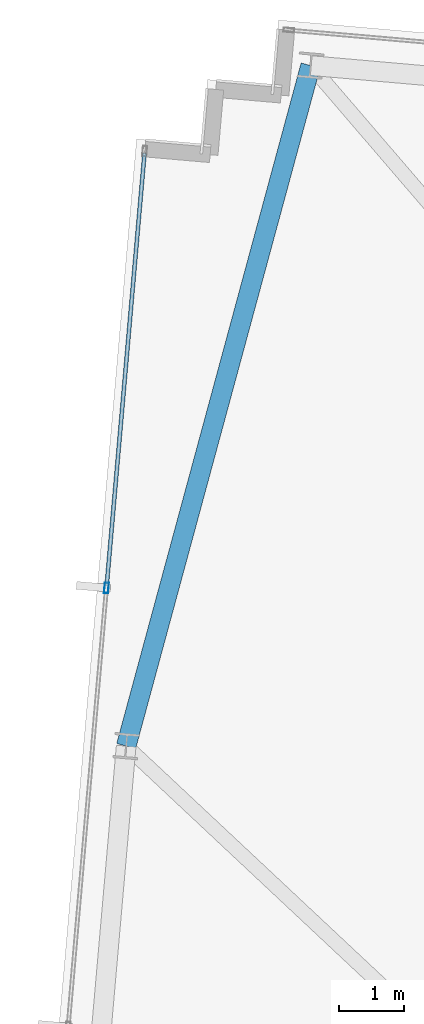
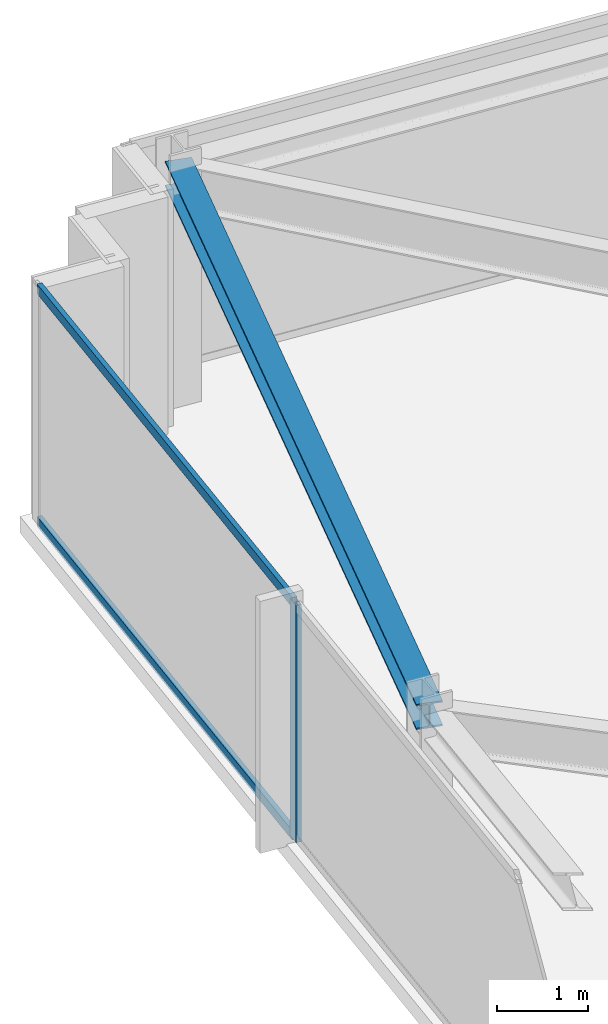
# One storey, part 11 of 32: 3 members, 1 beam, 1 element without a shape of its own.
"""IFC4 building model written with IfcOpenShell, lengths in metres."""

from ifc_helpers import new_model, si_unit, direction, frame, origin, origin_2d, place, context, subcontext, project, spatial, hollow_rectangle, i_section, extrude, material, material_profile, profile_set, type_object, element, aggregate, save


model = new_model("IFC4")

# Units and contexts
model_context = context("Model", 3, precision=1e-05, world=origin(), true_north=direction((0.0, 1.0)))
body_context = subcontext(model_context, "Body", "Model", "MODEL_VIEW")
ifc_project = project(units=[si_unit("LENGTHUNIT", "METRE"), si_unit("AREAUNIT", "SQUARE_METRE"), si_unit("VOLUMEUNIT", "CUBIC_METRE"), si_unit("PLANEANGLEUNIT", "RADIAN"), si_unit("MASSUNIT", "GRAM", prefix="KILO")], contexts=[model_context])

# Site, building, storey
site_placement = place(None, origin())
site = spatial("IfcSite", under=ifc_project, at=site_placement, CompositionType="ELEMENT")
building_placement = place(site_placement, origin())
building = spatial("IfcBuilding", under=site, at=building_placement, Name="Yelkora Congress Tower", CompositionType="ELEMENT")
storey_placement = place(building_placement, frame((0.0, 0.0, 272.699951171875)))
storey = spatial("IfcBuildingStorey", under=building, at=storey_placement, Name="L76", CompositionType="ELEMENT", Elevation=272.699951171875)

# Beam
ifc_material_1 = material(Name="Steel S355J2", Category="steel")
ifc_material_profile_1 = material_profile(ifc_material_1, i_section(OverallWidth=0.300048828125, OverallDepth=0.340087890625, WebThickness=0.011962890625, FlangeThickness=0.021484375, FilletRadius=0.027099609375, at=origin_2d()), Name="HEB 340")
ifc_profile_set_1 = profile_set([ifc_material_profile_1], Name="Steel S355J2")
beam_type = type_object("IfcBeamType", Name="BM-SPAN-HEB340", PredefinedType="SPANDREL", material=ifc_profile_set_1)
beam_placement = place(storey_placement, frame((10.60400390625, 49.884033203125, 3.010009765625), z_axis=(-0.261553643334, -0.965188940912, 0.0), x_axis=(0.965188940912, -0.261553643334, 0.0)))
element("IfcBeam", 1, at=beam_placement, inside=storey, type_object=beam_type, Name="L76 Perimeter Beam 13", PredefinedType="SPANDREL", context=body_context, shape_type="SweptSolid", body=[
    extrude(i_section(OverallWidth=0.300048828125, OverallDepth=0.340087890625, WebThickness=0.011962890625, FlangeThickness=0.021484375, FilletRadius=0.027099609375, at=origin_2d()), origin(), (0.0, 0.0, 1.0), 10.768798828125),
])

# Curtain wall, members
ifc_material_2 = material(Name="Anodised aluminium and insulated glass", Category="aluminium")
curtain_wall_type = type_object("IfcCurtainWallType", Name="CW-SYS-B5", PredefinedType="NOTDEFINED", material=ifc_material_2)
curtain_wall_placement = place(storey_placement, origin())
curtain_wall = element("IfcCurtainWall", 2, at=curtain_wall_placement, inside=storey, type_object=curtain_wall_type, Name="L76 Unitised Curtain Wall 5", PredefinedType="NOTDEFINED")
ifc_material_3 = material(Name="Anodised aluminium 6063-T6", Category="aluminium")
ifc_material_profile_2 = material_profile(ifc_material_3, hollow_rectangle(XDim=0.06494140625, YDim=0.159912109375, WallThickness=0.00390625, at=origin_2d()), Name="ALU 65x160x4")
ifc_profile_set_2 = profile_set([ifc_material_profile_2], Name="Anodised aluminium 6063-T6")
member_type_1 = type_object("IfcMemberType", Name="MEM-ML-B5", PredefinedType="MULLION", material=ifc_profile_set_2)
member_1_placement = place(storey_placement, frame((7.48681640625, 41.9052734375, 0.0), z_axis=(0.0, 0.0, 1.0), x_axis=(-0.996194785929, 0.08715473876, 0.0)))
member_1 = element("IfcMember", 3, at=member_1_placement, type_object=member_type_1, Name="CW-B5 mullion 4", PredefinedType="MULLION", context=body_context, shape_type="SweptSolid", body=[
    extrude(hollow_rectangle(XDim=0.06494140625, YDim=0.159912109375, WallThickness=0.00390625, at=origin_2d()), origin(), (0.0, 0.0, 1.0), 3.179931640625),
])
ifc_material_profile_3 = material_profile(ifc_material_3, hollow_rectangle(XDim=0.06005859375, YDim=0.1298828125, WallThickness=0.00390625, at=origin_2d()), Name="ALU 60x130x4")
ifc_profile_set_3 = profile_set([ifc_material_profile_3], Name="Anodised aluminium 6063-T6")
member_type_2 = type_object("IfcMemberType", Name="MEM-TR-B5", PredefinedType="USERDEFINED", material=ifc_profile_set_3)
member_2_placement = place(storey_placement, frame((7.489501953125, 41.937744140625, 0.030029296875), z_axis=(0.08716649365, 0.996193757451, 0.0), x_axis=(-0.996193757451, 0.08716649365, 0.0)))
member_2 = element("IfcMember", 4, at=member_2_placement, type_object=member_type_2, Name="CW-B5 transom 4.1", ObjectType="TRANSOM", PredefinedType="USERDEFINED", context=body_context, shape_type="SweptSolid", body=[
    extrude(hollow_rectangle(XDim=0.06005859375, YDim=0.1298828125, WallThickness=0.00390625, at=origin_2d()), origin(), (0.0, 0.0, 1.0), 6.63232421875),
])
member_3_placement = place(storey_placement, frame((7.489501953125, 41.937744140625, 3.150146484375), z_axis=(0.08716649365, 0.996193757451, 0.0), x_axis=(-0.996193757451, 0.08716649365, 0.0)))
member_3 = element("IfcMember", 5, at=member_3_placement, type_object=member_type_2, Name="CW-B5 transom 4.2", ObjectType="TRANSOM", PredefinedType="USERDEFINED", context=body_context, shape_type="SweptSolid", body=[
    extrude(hollow_rectangle(XDim=0.06005859375, YDim=0.1298828125, WallThickness=0.00390625, at=origin_2d()), origin(), (0.0, 0.0, 1.0), 6.63232421875),
])
aggregate(curtain_wall, [member_1, member_2, member_3])

save(model, "model.ifc")
